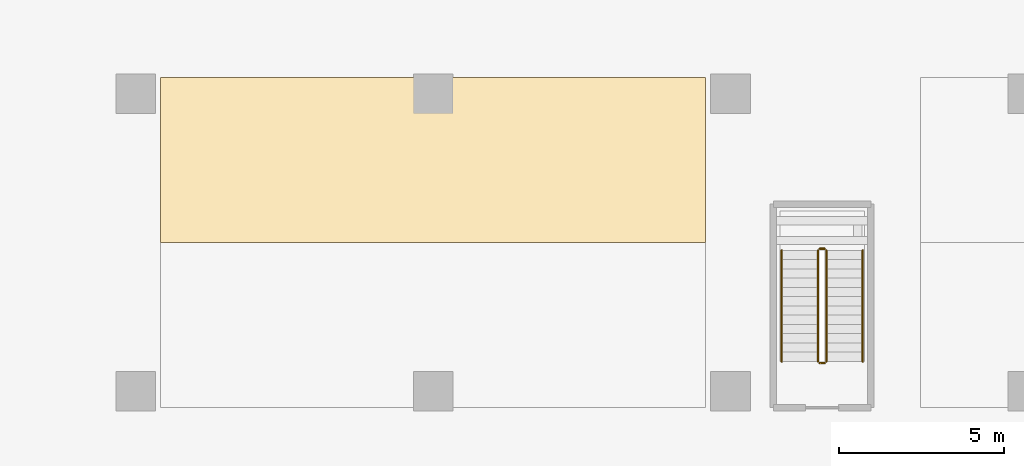
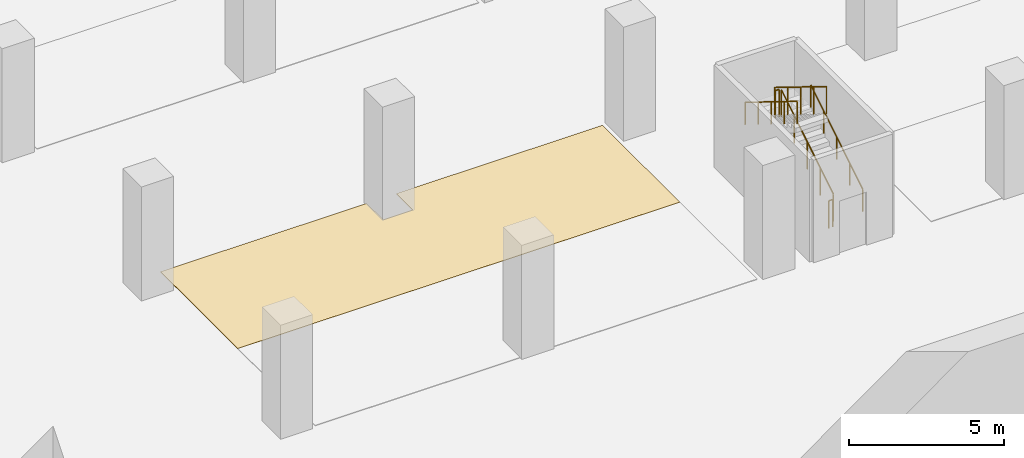
# One storey, part 26 of 34: 6 railings, 1 covering.
"""IFC4 building model written with IfcOpenShell, lengths in metres."""

from ifc_helpers import new_model, si_unit, direction, frame, origin, origin_2d, place, context, subcontext, project, spatial, polyline, circle, outline, extrude, material, layer, layer_set, type_object, element, save


model = new_model("IFC4")

# Units and contexts
model_context = context("Model", 3, precision=1e-05, world=origin(), true_north=direction((0.0, 1.0)))
body_context = subcontext(model_context, "Body", "Model", "MODEL_VIEW")
ifc_project = project(units=[si_unit("LENGTHUNIT", "METRE"), si_unit("AREAUNIT", "SQUARE_METRE"), si_unit("VOLUMEUNIT", "CUBIC_METRE"), si_unit("PLANEANGLEUNIT", "RADIAN"), si_unit("MASSUNIT", "GRAM", prefix="KILO")], contexts=[model_context])

# Site, building, storey
site_placement = place(None, origin())
site = spatial("IfcSite", under=ifc_project, at=site_placement, CompositionType="ELEMENT")
building_placement = place(site_placement, origin())
building = spatial("IfcBuilding", under=site, at=building_placement, Name="Ogive Gate Towers", CompositionType="ELEMENT")
storey_placement = place(building_placement, frame((0.0, 0.0, -4.5)))
storey = spatial("IfcBuildingStorey", under=building, at=storey_placement, Name="B1", CompositionType="ELEMENT", Elevation=-4.5)

# Railings
ifc_material_1 = material(Name="Painted steel", Category="steel")
railing_type_1 = type_object("IfcRailingType", Name="Car park stair guard 1100", PredefinedType="GUARDRAIL", material=ifc_material_1)
railing_1_placement = place(storey_placement, frame((29.89990234375, -62.10009765625, 0.173095703125)))
element("IfcRailing", 1, at=railing_1_placement, inside=storey, type_object=railing_type_1, Name="B1 CS7 stair guard 1", PredefinedType="GUARDRAIL", context=body_context, shape_type="SweptSolid", body=[
    extrude(circle(Radius=0.02392578125, at=origin_2d()), frame((0.0, 0.0, 1.076171875), z_axis=(0.0, 0.850623216509, 0.525775754039), x_axis=(-1.0, 0.0, 0.0)), (0.0, 0.0, 1.0), 3.9501953125),
    extrude(circle(Radius=0.02099609375, at=origin_2d()), origin(), (0.0, 0.0, 1.0), 1.052001953125),
    extrude(circle(Radius=0.02099609375, at=origin_2d()), frame((0.0, 0.840087890625, 0.519287109375)), (0.0, 0.0, 1.0), 1.052001953125),
    extrude(circle(Radius=0.02099609375, at=origin_2d()), frame((0.0, 1.68017578125, 1.03857421875)), (0.0, 0.0, 1.0), 1.052001953125),
    extrude(circle(Radius=0.02099609375, at=origin_2d()), frame((0.0, 2.52001953125, 1.5576171875)), (0.0, 0.0, 1.0), 1.052001953125),
    extrude(circle(Radius=0.02099609375, at=origin_2d()), frame((0.0, 3.360107421875, 2.076904296875)), (0.0, 0.0, 1.0), 1.052001953125),
])
railing_2_placement = place(storey_placement, frame((29.85009765625, -58.68994140625, 2.25)))
element("IfcRailing", 2, at=railing_2_placement, inside=storey, type_object=railing_type_1, Name="B1 CS7 stair guard 2", PredefinedType="GUARDRAIL", context=body_context, shape_type="SweptSolid", body=[
    extrude(circle(Radius=0.02392578125, at=origin_2d()), frame((0.0, 0.0, 1.076171875), z_axis=(-1.0, 0.0, 0.0), x_axis=(0.0, -1.0, 0.0)), (0.0, 0.0, 1.0), 0.150146484375),
    extrude(circle(Radius=0.02099609375, at=origin_2d()), origin(), (0.0, 0.0, 1.0), 1.052001953125),
    extrude(circle(Radius=0.02099609375, at=origin_2d()), frame((-0.150146484375, 0.0, 0.0)), (0.0, 0.0, 1.0), 1.052001953125),
])
railing_3_placement = place(storey_placement, frame((29.64990234375, -58.739990234375, 2.423095703125)))
element("IfcRailing", 3, at=railing_3_placement, inside=storey, type_object=railing_type_1, Name="B1 CS7 stair guard 3", PredefinedType="GUARDRAIL", context=body_context, shape_type="SweptSolid", body=[
    extrude(circle(Radius=0.02392578125, at=origin_2d()), frame((0.0, 0.0, 1.076171875), z_axis=(0.0, -0.850623216509, 0.525775754039), x_axis=(1.0, 0.0, 0.0)), (0.0, 0.0, 1.0), 3.9501953125),
    extrude(circle(Radius=0.02099609375, at=origin_2d()), origin(), (0.0, 0.0, 1.0), 1.052001953125),
    extrude(circle(Radius=0.02099609375, at=origin_2d()), frame((0.0, -0.840087890625, 0.519287109375)), (0.0, 0.0, 1.0), 1.052001953125),
    extrude(circle(Radius=0.02099609375, at=origin_2d()), frame((0.0, -1.68017578125, 1.03857421875)), (0.0, 0.0, 1.0), 1.052001953125),
    extrude(circle(Radius=0.02099609375, at=origin_2d()), frame((0.0, -2.52001953125, 1.5576171875)), (0.0, 0.0, 1.0), 1.052001953125),
    extrude(circle(Radius=0.02099609375, at=origin_2d()), frame((0.0, -3.360107421875, 2.076904296875)), (0.0, 0.0, 1.0), 1.052001953125),
])
railing_4_placement = place(storey_placement, frame((29.85009765625, -62.14990234375, 0.0)))
element("IfcRailing", 4, at=railing_4_placement, inside=storey, type_object=railing_type_1, Name="B1 CS7 stair guard 4", PredefinedType="GUARDRAIL", context=body_context, shape_type="SweptSolid", body=[
    extrude(circle(Radius=0.02392578125, at=origin_2d()), frame((0.0, 0.0, 1.076171875), z_axis=(-1.0, 0.0, 0.0), x_axis=(0.0, -1.0, 0.0)), (0.0, 0.0, 1.0), 0.150146484375),
    extrude(circle(Radius=0.02099609375, at=origin_2d()), origin(), (0.0, 0.0, 1.0), 1.052001953125),
    extrude(circle(Radius=0.02099609375, at=origin_2d()), frame((-0.150146484375, 0.0, 0.0)), (0.0, 0.0, 1.0), 1.052001953125),
])
ifc_material_2 = material(Name="Stainless steel handrail", Category="steel")
railing_type_2 = type_object("IfcRailingType", Name="Car park stair handrail 900", PredefinedType="HANDRAIL", material=ifc_material_2)
railing_5_placement = place(storey_placement, frame((31.0, -62.10009765625, 0.173095703125)))
element("IfcRailing", 5, at=railing_5_placement, inside=storey, type_object=railing_type_2, Name="B1 CS7 stair handrail 1", PredefinedType="HANDRAIL", context=body_context, shape_type="SweptSolid", body=[
    extrude(circle(Radius=0.02392578125, at=origin_2d()), frame((0.0, 0.0, 0.8759765625), z_axis=(0.0, 0.850623216509, 0.525775754039), x_axis=(-1.0, 0.0, 0.0)), (0.0, 0.0, 1.0), 3.9501953125),
    extrude(circle(Radius=0.02099609375, at=origin_2d()), origin(), (0.0, 0.0, 1.0), 0.851806640625),
    extrude(circle(Radius=0.02099609375, at=origin_2d()), frame((0.0, 0.840087890625, 0.519287109375)), (0.0, 0.0, 1.0), 0.851806640625),
    extrude(circle(Radius=0.02099609375, at=origin_2d()), frame((0.0, 1.68017578125, 1.03857421875)), (0.0, 0.0, 1.0), 0.851806640625),
    extrude(circle(Radius=0.02099609375, at=origin_2d()), frame((0.0, 2.52001953125, 1.5576171875)), (0.0, 0.0, 1.0), 0.851806640625),
    extrude(circle(Radius=0.02099609375, at=origin_2d()), frame((0.0, 3.360107421875, 2.076904296875)), (0.0, 0.0, 1.0), 0.851806640625),
])
railing_6_placement = place(storey_placement, frame((28.550048828125, -58.739990234375, 2.423095703125)))
element("IfcRailing", 6, at=railing_6_placement, inside=storey, type_object=railing_type_2, Name="B1 CS7 stair handrail 2", PredefinedType="HANDRAIL", context=body_context, shape_type="SweptSolid", body=[
    extrude(circle(Radius=0.02392578125, at=origin_2d()), frame((0.0, 0.0, 0.8759765625), z_axis=(0.0, -0.850623216509, 0.525775754039), x_axis=(1.0, 0.0, 0.0)), (0.0, 0.0, 1.0), 3.9501953125),
    extrude(circle(Radius=0.02099609375, at=origin_2d()), origin(), (0.0, 0.0, 1.0), 0.851806640625),
    extrude(circle(Radius=0.02099609375, at=origin_2d()), frame((0.0, -0.840087890625, 0.519287109375)), (0.0, 0.0, 1.0), 0.851806640625),
    extrude(circle(Radius=0.02099609375, at=origin_2d()), frame((0.0, -1.68017578125, 1.03857421875)), (0.0, 0.0, 1.0), 0.851806640625),
    extrude(circle(Radius=0.02099609375, at=origin_2d()), frame((0.0, -2.52001953125, 1.5576171875)), (0.0, 0.0, 1.0), 0.851806640625),
    extrude(circle(Radius=0.02099609375, at=origin_2d()), frame((0.0, -3.360107421875, 2.076904296875)), (0.0, 0.0, 1.0), 0.851806640625),
])

# Covering
ifc_material_3 = material(Name="Painted floor marking")
ifc_layer = layer(ifc_material_3, 0.02001953125)
ifc_layer_set = layer_set([ifc_layer], Name="Parking bay marking")
covering_type = type_object("IfcCoveringType", Name="Parking bay marking", PredefinedType="FLOORING", material=ifc_layer_set)
covering_placement = place(storey_placement, origin())
element("IfcCovering", 7, at=covering_placement, inside=storey, type_object=covering_type, Name="Parking bays B1-778 to B1-783", PredefinedType="FLOORING", context=body_context, shape_type="SweptSolid", body=[
    extrude(outline(polyline([(9.75, -53.5), (17.449951171875, -53.5), (17.449951171875, -54.550048828125), (18.550048828125, -54.550048828125), (18.550048828125, -53.5), (26.25, -53.5), (26.25, -58.5), (9.75, -58.5), (9.75, -53.5)])), origin(), (0.0, 0.0, 1.0), 0.02001953125),
])

save(model, "model.ifc")
